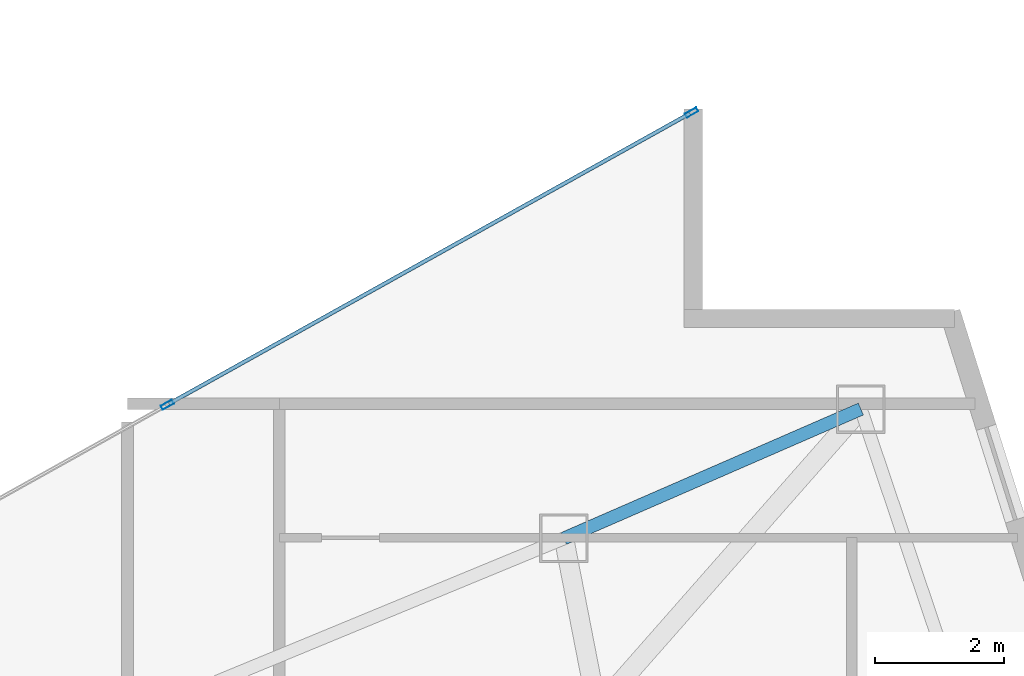
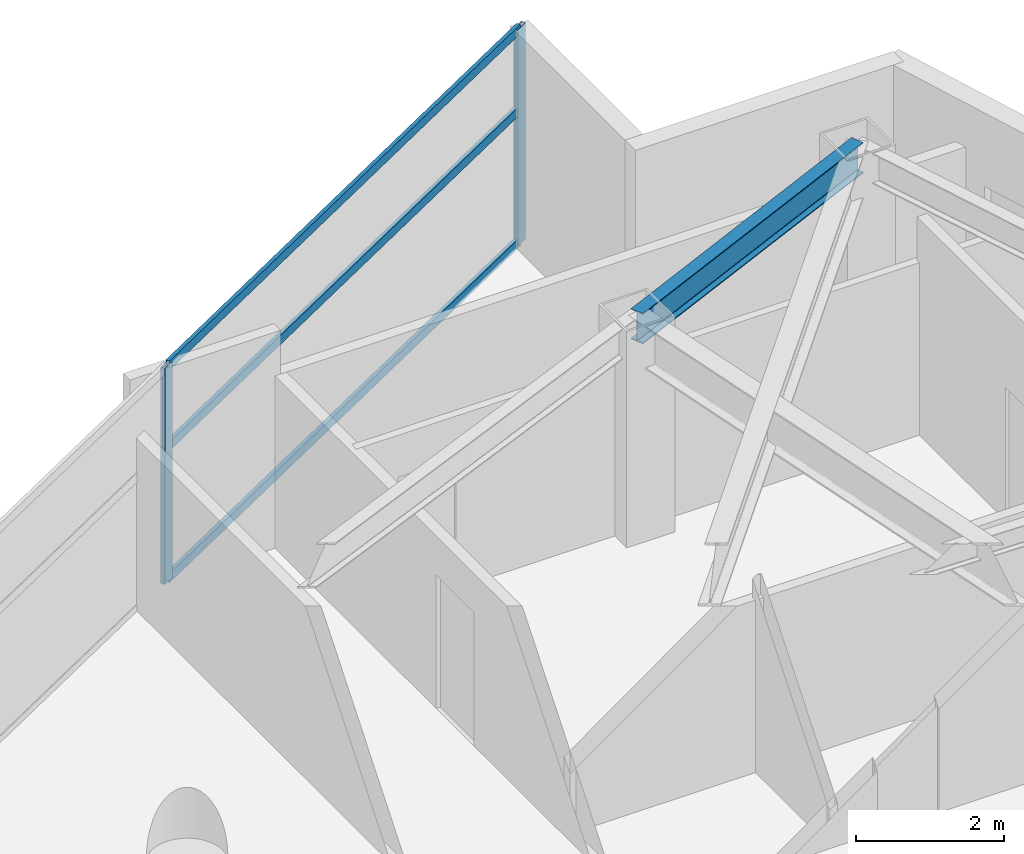
# One storey, part 20 of 28: 5 members, 1 beam, 1 element without a shape of its own.
"""IFC4 building model written with IfcOpenShell, lengths in metres."""

from ifc_helpers import new_model, si_unit, direction, frame, origin, origin_2d, place, context, subcontext, project, spatial, hollow_rectangle, i_section, extrude, material, layer, layer_set, material_profile, profile_set, type_object, element, aggregate, save


model = new_model("IFC4")

# Units and contexts
model_context = context("Model", 3, precision=1e-05, world=origin(), true_north=direction((0.0, 1.0)))
body_context = subcontext(model_context, "Body", "Model", "MODEL_VIEW")
ifc_project = project(units=[si_unit("LENGTHUNIT", "METRE"), si_unit("AREAUNIT", "SQUARE_METRE"), si_unit("VOLUMEUNIT", "CUBIC_METRE"), si_unit("PLANEANGLEUNIT", "RADIAN"), si_unit("MASSUNIT", "GRAM", prefix="KILO")], contexts=[model_context])

# Site, building, storey
site_placement = place(None, origin())
site = spatial("IfcSite", under=ifc_project, at=site_placement, CompositionType="ELEMENT")
building_placement = place(site_placement, origin())
building = spatial("IfcBuilding", under=site, at=building_placement, Name="Calvorn Quay Hotel", CompositionType="ELEMENT")
storey_placement = place(building_placement, frame((0.0, 0.0, 116.39990234375)))
storey = spatial("IfcBuildingStorey", under=building, at=storey_placement, Name="L28", CompositionType="ELEMENT", Elevation=116.39990234375)

# Beam
ifc_material_1 = material(Name="Steel Q355B", Category="steel")
ifc_material_profile_1 = material_profile(ifc_material_1, i_section(OverallWidth=0.199951171875, OverallDepth=0.5, WebThickness=0.010009765625, FlangeThickness=0.01611328125, FilletRadius=0.01611328125, at=origin_2d()), Name="HN500x200x10x16")
ifc_profile_set_1 = profile_set([ifc_material_profile_1], Name="Steel Q355B")
beam_type = type_object("IfcBeamType", Name="BM-SPANDREL-Z1", PredefinedType="SPANDREL", material=ifc_profile_set_1)
beam_placement = place(storey_placement, frame((48.591064453125, 33.39990234375, 3.2900390625), z_axis=(-0.916786146489, -0.399378469132, 0.0), x_axis=(0.399378469132, -0.916786146489, 0.0)))
element("IfcBeam", 1, at=beam_placement, inside=storey, type_object=beam_type, Name="Beam BSP-L28-E3", PredefinedType="SPANDREL", context=body_context, shape_type="SweptSolid", body=[
    extrude(i_section(OverallWidth=0.199951171875, OverallDepth=0.5, WebThickness=0.010009765625, FlangeThickness=0.01611328125, FilletRadius=0.01611328125, at=origin_2d()), origin(), (0.0, 0.0, 1.0), 5.0078125),
])

# Curtain wall, members
ifc_material_2 = material(Name="Pale Anodised Aluminium and Low-E Glass", Category="aluminium")
ifc_layer = layer(ifc_material_2, 0.219970703125)
ifc_layer_set = layer_set([ifc_layer], Name="CW-SYS-Z2")
curtain_wall_type = type_object("IfcCurtainWallType", Name="CW-SYS-Z2", PredefinedType="NOTDEFINED", material=ifc_layer_set)
curtain_wall_placement = place(storey_placement, origin())
curtain_wall = element("IfcCurtainWall", 2, at=curtain_wall_placement, inside=storey, type_object=curtain_wall_type, Name="Inner Court Curtain Wall L28-NE1", PredefinedType="NOTDEFINED")
ifc_material_3 = material(Name="Pale Anodised Aluminium 6063-T6", Category="aluminium")
ifc_material_profile_2 = material_profile(ifc_material_3, hollow_rectangle(XDim=0.070068359375, YDim=0.199951171875, WallThickness=0.00390625, at=origin_2d()), Name="ALU-M200x70x4")
ifc_profile_set_2 = profile_set([ifc_material_profile_2], Name="Pale Anodised Aluminium 6063-T6")
member_type_1 = type_object("IfcMemberType", Name="CW-SYS-Z2-MUL", PredefinedType="MULLION", material=ifc_profile_set_2)
member_1_placement = place(storey_placement, frame((45.973876953125, 37.9853515625, 0.0), z_axis=(0.0, 0.0, 1.0), x_axis=(0.486858256224, -0.873480989116, 0.0)))
member_1 = element("IfcMember", 3, at=member_1_placement, type_object=member_type_1, Name="CW-L28-NE1 mullion 1", PredefinedType="MULLION", context=body_context, shape_type="SweptSolid", body=[
    extrude(hollow_rectangle(XDim=0.070068359375, YDim=0.199951171875, WallThickness=0.00390625, at=origin_2d()), origin(), (0.0, 0.0, 1.0), 3.56005859375),
])
member_2_placement = place(storey_placement, frame((37.86669921875, 33.466552734375, 0.0), z_axis=(0.0, 0.0, 1.0), x_axis=(0.486858256224, -0.873480989116, 0.0)))
member_2 = element("IfcMember", 4, at=member_2_placement, type_object=member_type_1, Name="CW-L28-NE1 mullion 2", PredefinedType="MULLION", context=body_context, shape_type="SweptSolid", body=[
    extrude(hollow_rectangle(XDim=0.070068359375, YDim=0.199951171875, WallThickness=0.00390625, at=origin_2d()), origin(), (0.0, 0.0, 1.0), 3.56005859375),
])
ifc_material_4 = material(Name="Pale Anodised Aluminium 6063-T6", Category="aluminium")
ifc_material_profile_3 = material_profile(ifc_material_4, hollow_rectangle(XDim=0.06005859375, YDim=0.14990234375, WallThickness=0.00341796875, at=origin_2d()), Name="ALU-T150x60x3.5")
ifc_profile_set_3 = profile_set([ifc_material_profile_3], Name="Pale Anodised Aluminium 6063-T6")
member_type_2 = type_object("IfcMemberType", Name="CW-SYS-Z2-TRN", PredefinedType="USERDEFINED", material=ifc_profile_set_3)
member_3_placement = place(storey_placement, frame((45.947509765625, 37.970703125, 0.030029296875), z_axis=(-0.87348080454, -0.486858587375, 0.0), x_axis=(0.486858587375, -0.87348080454, 0.0)))
member_3 = element("IfcMember", 5, at=member_3_placement, type_object=member_type_2, Name="CW-L28-NE1 transom 1.1", ObjectType="TRANSOM", PredefinedType="USERDEFINED", context=body_context, shape_type="SweptSolid", body=[
    extrude(hollow_rectangle(XDim=0.06005859375, YDim=0.14990234375, WallThickness=0.00341796875, at=origin_2d()), origin(), (0.0, 0.0, 1.0), 9.221435546875),
])
member_4_placement = place(storey_placement, frame((45.947509765625, 37.970703125, 2.2001953125), z_axis=(-0.87348080454, -0.486858587375, 0.0), x_axis=(0.486858587375, -0.87348080454, 0.0)))
member_4 = element("IfcMember", 6, at=member_4_placement, type_object=member_type_2, Name="CW-L28-NE1 transom 1.2", ObjectType="TRANSOM", PredefinedType="USERDEFINED", context=body_context, shape_type="SweptSolid", body=[
    extrude(hollow_rectangle(XDim=0.06005859375, YDim=0.14990234375, WallThickness=0.00341796875, at=origin_2d()), origin(), (0.0, 0.0, 1.0), 9.221435546875),
])
member_5_placement = place(storey_placement, frame((45.947509765625, 37.970703125, 3.530029296875), z_axis=(-0.87348080454, -0.486858587375, 0.0), x_axis=(0.486858587375, -0.87348080454, 0.0)))
member_5 = element("IfcMember", 7, at=member_5_placement, type_object=member_type_2, Name="CW-L28-NE1 transom 1.3", ObjectType="TRANSOM", PredefinedType="USERDEFINED", context=body_context, shape_type="SweptSolid", body=[
    extrude(hollow_rectangle(XDim=0.06005859375, YDim=0.14990234375, WallThickness=0.00341796875, at=origin_2d()), origin(), (0.0, 0.0, 1.0), 9.221435546875),
])
aggregate(curtain_wall, [member_1, member_2, member_3, member_4, member_5])

save(model, "model.ifc")
